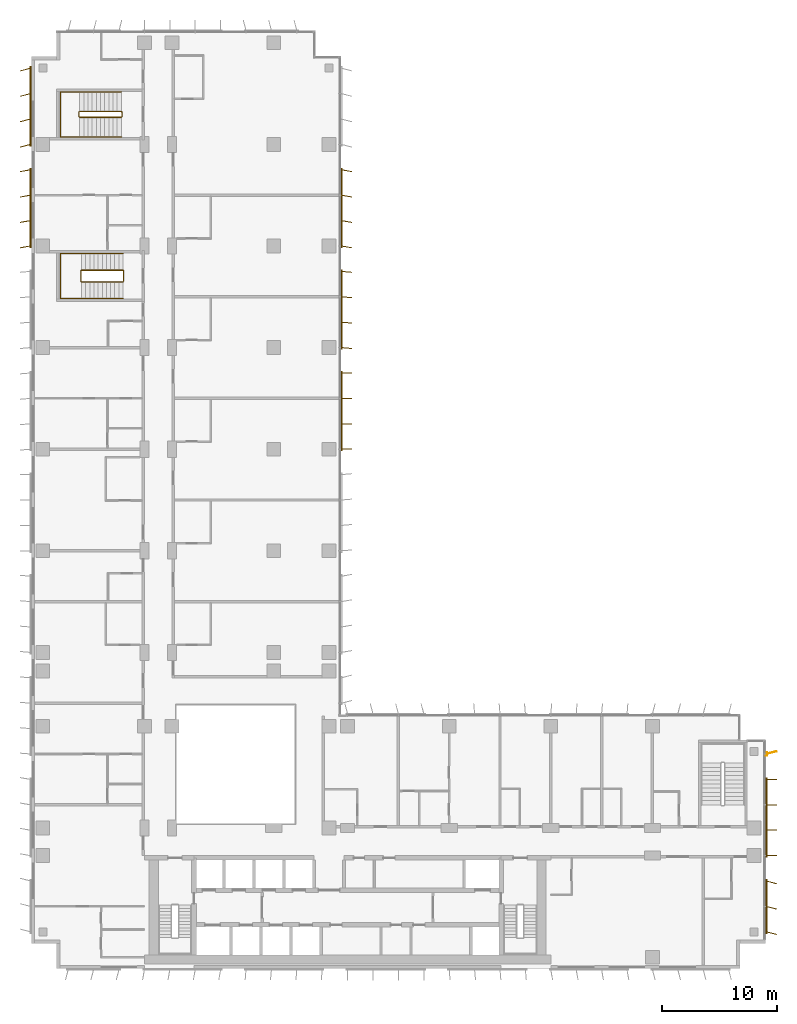
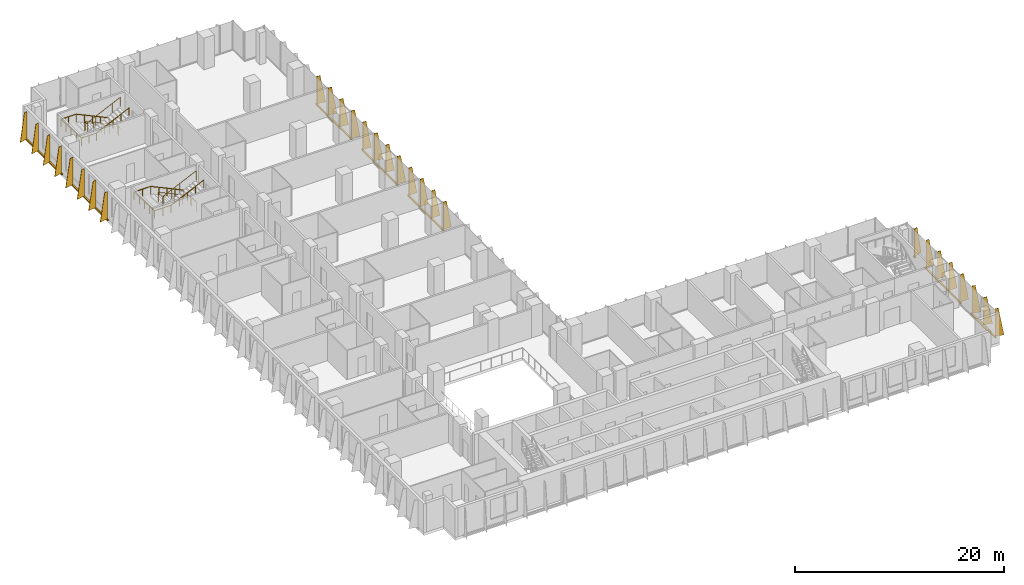
# One storey, part 21 of 22: 8 shading devices, 4 railings.
"""IFC4 building model written with IfcOpenShell, lengths in metres."""

from ifc_helpers import new_model, si_unit, direction, frame, origin, origin_2d, place, context, subcontext, project, spatial, polyline, rectangle, circle, outline, extrude, source, transform, mapped, material, layer, layer_set, type_object, element, save


model = new_model("IFC4")

# Units and contexts
model_context = context("Model", 3, precision=1e-05, world=origin(), true_north=direction((0.0, 1.0)))
body_context = subcontext(model_context, "Body", "Model", "MODEL_VIEW")
ifc_project = project(units=[si_unit("LENGTHUNIT", "METRE"), si_unit("AREAUNIT", "SQUARE_METRE"), si_unit("VOLUMEUNIT", "CUBIC_METRE"), si_unit("PLANEANGLEUNIT", "RADIAN"), si_unit("MASSUNIT", "GRAM", prefix="KILO")], contexts=[model_context])

# Site, building, storey
site_placement = place(None, origin())
site = spatial("IfcSite", under=ifc_project, at=site_placement, CompositionType="ELEMENT")
building_placement = place(site_placement, origin())
building = spatial("IfcBuilding", under=site, at=building_placement, Name="Kemantara Hotel Tower", CompositionType="ELEMENT")
storey_placement = place(building_placement, frame((0.0, 0.0, 145.699951171875)))
storey = spatial("IfcBuildingStorey", under=building, at=storey_placement, Name="L35", CompositionType="ELEMENT", Elevation=145.699951171875)

# Railings
ifc_material_1 = material(Name="Stainless steel balustrade", Category="steel")
railing_type_1 = type_object("IfcRailingType", Name="Stair guard 1100 mm", PredefinedType="GUARDRAIL", material=ifc_material_1)
railing_1_placement = place(storey_placement, frame((7.949951171875, 59.5, 3.699951171875)))
element("IfcRailing", 1, at=railing_1_placement, inside=storey, type_object=railing_type_1, Name="L35 ST4 stair guard 1", PredefinedType="GUARDRAIL", context=body_context, shape_type="SweptSolid", body=[
    extrude(circle(Radius=0.02392578125, at=origin_2d()), frame((0.0, 0.0, 1.076171875), z_axis=(-0.906018243939, 0.0, -0.423238634402), x_axis=(0.0, -1.0, 0.0)), (0.0, 0.0, 1.0), 3.973388671875),
    extrude(circle(Radius=0.02392578125, at=origin_2d()), frame((-3.599853515625, 0.0, -0.60546875), z_axis=(-0.274243871929, 0.274243871929, -0.92172696468), x_axis=(-0.707106781187, -0.707106781187, 0.0)), (0.0, 0.0, 1.0), 0.1826171875),
    extrude(circle(Radius=0.02392578125, at=origin_2d()), frame((-3.64990234375, 0.050048828125, -0.77392578125), z_axis=(0.0, 1.0, 0.0), x_axis=(-1.0, 0.0, 0.0)), (0.0, 0.0, 1.0), 0.89990234375),
    extrude(circle(Radius=0.02392578125, at=origin_2d()), frame((-3.64990234375, 0.949951171875, -0.77392578125), z_axis=(0.707106781187, 0.707106781187, 0.0), x_axis=(-0.707106781187, 0.707106781187, 0.0)), (0.0, 0.0, 1.0), 0.07080078125),
    extrude(circle(Radius=0.02392578125, at=origin_2d()), frame((-3.599853515625, 1.0, -0.77392578125), z_axis=(0.905994681025, 0.0, -0.423289071386), x_axis=(0.0, 1.0, 0.0)), (0.0, 0.0, 1.0), 3.973388671875),
    extrude(circle(Radius=0.02392578125, at=origin_2d()), frame((0.0, 1.0, -2.45556640625), z_axis=(0.274243871929, -0.274243871929, -0.92172696468), x_axis=(0.707106781187, 0.707106781187, 0.0)), (0.0, 0.0, 1.0), 0.1826171875),
    extrude(circle(Radius=0.02392578125, at=origin_2d()), frame((0.050048828125, 0.949951171875, -2.6240234375), z_axis=(0.0, -1.0, 0.0), x_axis=(1.0, 0.0, 0.0)), (0.0, 0.0, 1.0), 0.89990234375),
    extrude(circle(Radius=0.02099609375, at=origin_2d()), origin(), (0.0, 0.0, 1.0), 1.052001953125),
    extrude(circle(Radius=0.02099609375, at=origin_2d()), frame((-0.89990234375, 0.0, -0.42041015625)), (0.0, 0.0, 1.0), 1.052001953125),
    extrude(circle(Radius=0.02099609375, at=origin_2d()), frame((-1.7998046875, 0.0, -0.8408203125)), (0.0, 0.0, 1.0), 1.052001953125),
    extrude(circle(Radius=0.02099609375, at=origin_2d()), frame((-2.699951171875, 0.0, -1.26123046875)), (0.0, 0.0, 1.0), 1.052001953125),
    extrude(circle(Radius=0.02099609375, at=origin_2d()), frame((-3.599853515625, 0.0, -1.681640625)), (0.0, 0.0, 1.0), 1.052001953125),
    extrude(circle(Radius=0.02099609375, at=origin_2d()), frame((-3.64990234375, 0.050048828125, -1.849853515625)), (0.0, 0.0, 1.0), 1.052001953125),
    extrude(circle(Radius=0.02099609375, at=origin_2d()), frame((-3.64990234375, 0.949951171875, -1.849853515625)), (0.0, 0.0, 1.0), 1.052001953125),
    extrude(circle(Radius=0.02099609375, at=origin_2d()), frame((-3.599853515625, 1.0, -1.849853515625)), (0.0, 0.0, 1.0), 1.052001953125),
    extrude(circle(Radius=0.02099609375, at=origin_2d()), frame((-2.699951171875, 1.0, -2.270263671875)), (0.0, 0.0, 1.0), 1.052001953125),
    extrude(circle(Radius=0.02099609375, at=origin_2d()), frame((-1.7998046875, 1.0, -2.69091796875)), (0.0, 0.0, 1.0), 1.052001953125),
    extrude(circle(Radius=0.02099609375, at=origin_2d()), frame((-0.89990234375, 1.0, -3.111328125)), (0.0, 0.0, 1.0), 1.052001953125),
    extrude(circle(Radius=0.02099609375, at=origin_2d()), frame((0.0, 1.0, -3.53173828125)), (0.0, 0.0, 1.0), 1.052001953125),
    extrude(circle(Radius=0.02099609375, at=origin_2d()), frame((0.050048828125, 0.949951171875, -3.699951171875)), (0.0, 0.0, 1.0), 1.052001953125),
    extrude(circle(Radius=0.02099609375, at=origin_2d()), frame((0.050048828125, 0.050048828125, -3.699951171875)), (0.0, 0.0, 1.0), 1.052001953125),
])
railing_2_placement = place(storey_placement, frame((7.800048828125, 73.75, 3.699951171875)))
element("IfcRailing", 2, at=railing_2_placement, inside=storey, type_object=railing_type_1, Name="L35 ST6 stair guard 1", PredefinedType="GUARDRAIL", context=body_context, shape_type="SweptSolid", body=[
    extrude(circle(Radius=0.02392578125, at=origin_2d()), frame((0.0, 0.0, 1.076171875), z_axis=(-0.906029249863, 0.0, -0.423215073447), x_axis=(0.0, -1.0, 0.0)), (0.0, 0.0, 1.0), 3.973388671875),
    extrude(circle(Radius=0.02392578125, at=origin_2d()), frame((-3.60009765625, 0.0, -0.60546875), z_axis=(-0.274243871929, 0.274243871929, -0.92172696468), x_axis=(-0.707106781187, -0.707106781187, 0.0)), (0.0, 0.0, 1.0), 0.1826171875),
    extrude(circle(Radius=0.02392578125, at=origin_2d()), frame((-3.650146484375, 0.050048828125, -0.77392578125), z_axis=(0.0, 1.0, 0.0), x_axis=(-1.0, 0.0, 0.0)), (0.0, 0.0, 1.0), 0.39990234375),
    extrude(circle(Radius=0.02392578125, at=origin_2d()), frame((-3.650146484375, 0.449951171875, -0.77392578125), z_axis=(0.707106781187, 0.707106781187, 0.0), x_axis=(-0.707106781187, 0.707106781187, 0.0)), (0.0, 0.0, 1.0), 0.07080078125),
    extrude(circle(Radius=0.02392578125, at=origin_2d()), frame((-3.60009765625, 0.5, -0.77392578125), z_axis=(0.906005689286, 0.0, -0.423265508849), x_axis=(0.0, 1.0, 0.0)), (0.0, 0.0, 1.0), 3.9736328125),
    extrude(circle(Radius=0.02392578125, at=origin_2d()), frame((0.0, 0.5, -2.45556640625), z_axis=(0.274243871929, -0.274243871929, -0.92172696468), x_axis=(0.707106781187, 0.707106781187, 0.0)), (0.0, 0.0, 1.0), 0.1826171875),
    extrude(circle(Radius=0.02392578125, at=origin_2d()), frame((0.050048828125, 0.449951171875, -2.6240234375), z_axis=(0.0, -1.0, 0.0), x_axis=(1.0, 0.0, 0.0)), (0.0, 0.0, 1.0), 0.39990234375),
    extrude(circle(Radius=0.02099609375, at=origin_2d()), origin(), (0.0, 0.0, 1.0), 1.052001953125),
    extrude(circle(Radius=0.02099609375, at=origin_2d()), frame((-0.89990234375, 0.0, -0.42041015625)), (0.0, 0.0, 1.0), 1.052001953125),
    extrude(circle(Radius=0.02099609375, at=origin_2d()), frame((-1.800048828125, 0.0, -0.8408203125)), (0.0, 0.0, 1.0), 1.052001953125),
    extrude(circle(Radius=0.02099609375, at=origin_2d()), frame((-2.7001953125, 0.0, -1.26123046875)), (0.0, 0.0, 1.0), 1.052001953125),
    extrude(circle(Radius=0.02099609375, at=origin_2d()), frame((-3.60009765625, 0.0, -1.681640625)), (0.0, 0.0, 1.0), 1.052001953125),
    extrude(circle(Radius=0.02099609375, at=origin_2d()), frame((-3.650146484375, 0.050048828125, -1.849853515625)), (0.0, 0.0, 1.0), 1.052001953125),
    extrude(circle(Radius=0.02099609375, at=origin_2d()), frame((-3.650146484375, 0.449951171875, -1.849853515625)), (0.0, 0.0, 1.0), 1.052001953125),
    extrude(circle(Radius=0.02099609375, at=origin_2d()), frame((-3.60009765625, 0.5, -1.849853515625)), (0.0, 0.0, 1.0), 1.052001953125),
    extrude(circle(Radius=0.02099609375, at=origin_2d()), frame((-2.7001953125, 0.5, -2.270263671875)), (0.0, 0.0, 1.0), 1.052001953125),
    extrude(circle(Radius=0.02099609375, at=origin_2d()), frame((-1.800048828125, 0.5, -2.69091796875)), (0.0, 0.0, 1.0), 1.052001953125),
    extrude(circle(Radius=0.02099609375, at=origin_2d()), frame((-0.89990234375, 0.5, -3.111328125)), (0.0, 0.0, 1.0), 1.052001953125),
    extrude(circle(Radius=0.02099609375, at=origin_2d()), frame((0.0, 0.5, -3.53173828125)), (0.0, 0.0, 1.0), 1.052001953125),
    extrude(circle(Radius=0.02099609375, at=origin_2d()), frame((0.050048828125, 0.449951171875, -3.699951171875)), (0.0, 0.0, 1.0), 1.052001953125),
    extrude(circle(Radius=0.02099609375, at=origin_2d()), frame((0.050048828125, 0.050048828125, -3.699951171875)), (0.0, 0.0, 1.0), 1.052001953125),
])
railing_type_2 = type_object("IfcRailingType", Name="Stair handrail 900 mm", PredefinedType="HANDRAIL", material=ifc_material_1)
railing_3_placement = place(storey_placement, frame((7.949951171875, 61.949951171875, 0.168212890625)))
element("IfcRailing", 3, at=railing_3_placement, inside=storey, type_object=railing_type_2, Name="L35 ST4 stair handrail 1", PredefinedType="HANDRAIL", context=body_context, shape_type="SweptSolid", body=[
    extrude(circle(Radius=0.02392578125, at=origin_2d()), frame((0.0, 0.0, 0.8759765625), z_axis=(-0.905994681025, 0.0, 0.423289071386), x_axis=(0.0, -1.0, 0.0)), (0.0, 0.0, 1.0), 3.973388671875),
    extrude(circle(Radius=0.02392578125, at=origin_2d()), frame((-3.599853515625, 0.0, 2.5576171875), z_axis=(-1.0, 0.0, 0.0), x_axis=(0.0, -1.0, 0.0)), (0.0, 0.0, 1.0), 1.830078125),
    extrude(circle(Radius=0.02392578125, at=origin_2d()), frame((-5.429931640625, 0.0, 2.5576171875), z_axis=(0.0, -0.999071085748, 0.043092523981), x_axis=(1.0, 0.0, 0.0)), (0.0, 0.0, 1.0), 3.903564453125),
    extrude(circle(Radius=0.02392578125, at=origin_2d()), frame((-5.429931640625, -3.89990234375, 2.72607421875), z_axis=(1.0, 0.0, 0.0), x_axis=(0.0, 1.0, 0.0)), (0.0, 0.0, 1.0), 1.830078125),
    extrude(circle(Radius=0.02392578125, at=origin_2d()), frame((-3.599853515625, -3.89990234375, 2.72607421875), z_axis=(0.906018243939, 0.0, 0.423238634402), x_axis=(0.0, 1.0, 0.0)), (0.0, 0.0, 1.0), 3.973388671875),
    extrude(circle(Radius=0.02099609375, at=origin_2d()), origin(), (0.0, 0.0, 1.0), 0.851806640625),
    extrude(circle(Radius=0.02099609375, at=origin_2d()), frame((-0.89990234375, 0.0, 0.42041015625)), (0.0, 0.0, 1.0), 0.851806640625),
    extrude(circle(Radius=0.02099609375, at=origin_2d()), frame((-1.7998046875, 0.0, 0.8408203125)), (0.0, 0.0, 1.0), 0.851806640625),
    extrude(circle(Radius=0.02099609375, at=origin_2d()), frame((-2.699951171875, 0.0, 1.261474609375)), (0.0, 0.0, 1.0), 0.851806640625),
    extrude(circle(Radius=0.02099609375, at=origin_2d()), frame((-3.599853515625, 0.0, 1.681884765625)), (0.0, 0.0, 1.0), 0.851806640625),
    extrude(circle(Radius=0.02099609375, at=origin_2d()), frame((-4.514892578125, 0.0, 1.681884765625)), (0.0, 0.0, 1.0), 0.851806640625),
    extrude(circle(Radius=0.02099609375, at=origin_2d()), frame((-5.429931640625, 0.0, 1.681884765625)), (0.0, 0.0, 1.0), 0.851806640625),
    extrude(circle(Radius=0.02099609375, at=origin_2d()), frame((-5.429931640625, -0.97509765625, 1.723876953125)), (0.0, 0.0, 1.0), 0.851806640625),
    extrude(circle(Radius=0.02099609375, at=origin_2d()), frame((-5.429931640625, -1.949951171875, 1.76611328125)), (0.0, 0.0, 1.0), 0.851806640625),
    extrude(circle(Radius=0.02099609375, at=origin_2d()), frame((-5.429931640625, -2.9248046875, 1.80810546875)), (0.0, 0.0, 1.0), 0.851806640625),
    extrude(circle(Radius=0.02099609375, at=origin_2d()), frame((-5.429931640625, -3.89990234375, 1.85009765625)), (0.0, 0.0, 1.0), 0.851806640625),
    extrude(circle(Radius=0.02099609375, at=origin_2d()), frame((-4.514892578125, -3.89990234375, 1.85009765625)), (0.0, 0.0, 1.0), 0.851806640625),
    extrude(circle(Radius=0.02099609375, at=origin_2d()), frame((-3.599853515625, -3.89990234375, 1.85009765625)), (0.0, 0.0, 1.0), 0.851806640625),
    extrude(circle(Radius=0.02099609375, at=origin_2d()), frame((-2.699951171875, -3.89990234375, 2.2705078125)), (0.0, 0.0, 1.0), 0.851806640625),
    extrude(circle(Radius=0.02099609375, at=origin_2d()), frame((-1.7998046875, -3.89990234375, 2.69091796875)), (0.0, 0.0, 1.0), 0.851806640625),
    extrude(circle(Radius=0.02099609375, at=origin_2d()), frame((-0.89990234375, -3.89990234375, 3.111328125)), (0.0, 0.0, 1.0), 0.851806640625),
    extrude(circle(Radius=0.02099609375, at=origin_2d()), frame((0.0, -3.89990234375, 3.53173828125)), (0.0, 0.0, 1.0), 0.851806640625),
])
railing_4_placement = place(storey_placement, frame((7.800048828125, 75.949951171875, 0.168212890625)))
element("IfcRailing", 4, at=railing_4_placement, inside=storey, type_object=railing_type_2, Name="L35 ST6 stair handrail 1", PredefinedType="HANDRAIL", context=body_context, shape_type="SweptSolid", body=[
    extrude(circle(Radius=0.02392578125, at=origin_2d()), frame((0.0, 0.0, 0.8759765625), z_axis=(-0.906005689286, 0.0, 0.423265508849), x_axis=(0.0, -1.0, 0.0)), (0.0, 0.0, 1.0), 3.9736328125),
    extrude(circle(Radius=0.02392578125, at=origin_2d()), frame((-3.60009765625, 0.0, 2.5576171875), z_axis=(-1.0, 0.0, 0.0), x_axis=(0.0, -1.0, 0.0)), (0.0, 0.0, 1.0), 1.679931640625),
    extrude(circle(Radius=0.02392578125, at=origin_2d()), frame((-5.280029296875, 0.0, 2.5576171875), z_axis=(0.0, -0.999071085748, 0.043092523981), x_axis=(1.0, 0.0, 0.0)), (0.0, 0.0, 1.0), 3.903564453125),
    extrude(circle(Radius=0.02392578125, at=origin_2d()), frame((-5.280029296875, -3.89990234375, 2.72607421875), z_axis=(1.0, 0.0, 0.0), x_axis=(0.0, 1.0, 0.0)), (0.0, 0.0, 1.0), 1.679931640625),
    extrude(circle(Radius=0.02392578125, at=origin_2d()), frame((-3.60009765625, -3.89990234375, 2.72607421875), z_axis=(0.906029249863, 0.0, 0.423215073447), x_axis=(0.0, 1.0, 0.0)), (0.0, 0.0, 1.0), 3.973388671875),
    extrude(circle(Radius=0.02099609375, at=origin_2d()), origin(), (0.0, 0.0, 1.0), 0.851806640625),
    extrude(circle(Radius=0.02099609375, at=origin_2d()), frame((-0.89990234375, 0.0, 0.42041015625)), (0.0, 0.0, 1.0), 0.851806640625),
    extrude(circle(Radius=0.02099609375, at=origin_2d()), frame((-1.800048828125, 0.0, 0.8408203125)), (0.0, 0.0, 1.0), 0.851806640625),
    extrude(circle(Radius=0.02099609375, at=origin_2d()), frame((-2.7001953125, 0.0, 1.261474609375)), (0.0, 0.0, 1.0), 0.851806640625),
    extrude(circle(Radius=0.02099609375, at=origin_2d()), frame((-3.60009765625, 0.0, 1.681884765625)), (0.0, 0.0, 1.0), 0.851806640625),
    extrude(circle(Radius=0.02099609375, at=origin_2d()), frame((-4.43994140625, 0.0, 1.681884765625)), (0.0, 0.0, 1.0), 0.851806640625),
    extrude(circle(Radius=0.02099609375, at=origin_2d()), frame((-5.280029296875, 0.0, 1.681884765625)), (0.0, 0.0, 1.0), 0.851806640625),
    extrude(circle(Radius=0.02099609375, at=origin_2d()), frame((-5.280029296875, -0.97509765625, 1.723876953125)), (0.0, 0.0, 1.0), 0.851806640625),
    extrude(circle(Radius=0.02099609375, at=origin_2d()), frame((-5.280029296875, -1.949951171875, 1.76611328125)), (0.0, 0.0, 1.0), 0.851806640625),
    extrude(circle(Radius=0.02099609375, at=origin_2d()), frame((-5.280029296875, -2.9248046875, 1.80810546875)), (0.0, 0.0, 1.0), 0.851806640625),
    extrude(circle(Radius=0.02099609375, at=origin_2d()), frame((-5.280029296875, -3.89990234375, 1.85009765625)), (0.0, 0.0, 1.0), 0.851806640625),
    extrude(circle(Radius=0.02099609375, at=origin_2d()), frame((-4.43994140625, -3.89990234375, 1.85009765625)), (0.0, 0.0, 1.0), 0.851806640625),
    extrude(circle(Radius=0.02099609375, at=origin_2d()), frame((-3.60009765625, -3.89990234375, 1.85009765625)), (0.0, 0.0, 1.0), 0.851806640625),
    extrude(circle(Radius=0.02099609375, at=origin_2d()), frame((-2.7001953125, -3.89990234375, 2.2705078125)), (0.0, 0.0, 1.0), 0.851806640625),
    extrude(circle(Radius=0.02099609375, at=origin_2d()), frame((-1.800048828125, -3.89990234375, 2.69091796875)), (0.0, 0.0, 1.0), 0.851806640625),
    extrude(circle(Radius=0.02099609375, at=origin_2d()), frame((-0.89990234375, -3.89990234375, 3.111328125)), (0.0, 0.0, 1.0), 0.851806640625),
    extrude(circle(Radius=0.02099609375, at=origin_2d()), frame((0.0, -3.89990234375, 3.53173828125)), (0.0, 0.0, 1.0), 0.851806640625),
])

# Shading devices
ifc_material_2 = material(Name="Perforated aluminium plate 4 mm bronze anodised", Category="aluminium")
ifc_layer_1 = layer(ifc_material_2, 0.0400390625)
ifc_layer_set_1 = layer_set([ifc_layer_1], Name="Perforated aluminium plate 4 mm bronze anodised")
shading_device_type_1 = type_object("IfcShadingDeviceType", Name="SCREEN FIN CASSETTE, 3 BLADES AT -15.0 DEG, 3200 HIGH", PredefinedType="USERDEFINED", material=ifc_layer_set_1)
shared_shape_1 = source(origin(), body_context, "Body", "SweptSolid", [
    extrude(rectangle(XDim=4.699951171875, YDim=0.14990234375, at=origin_2d()), frame((2.199951171875, -0.074951171875, -0.14990234375), z_axis=(0.0, 0.0, 1.0), x_axis=(1.0, 0.0, 0.0)), (0.0, 0.0, 1.0), 0.14990234375),
    extrude(outline(polyline([(0.0, 0.0), (0.89990234375, 0.0), (0.35009765625, 3.199951171875), (0.0, 3.199951171875), (0.0, 0.0)])), frame((0.019287109375, -0.080078125, 0.0), z_axis=(-0.966437683387, 0.256901156343, 0.0), x_axis=(-0.256901156343, -0.966437683387, 0.0)), (0.0, 0.0, 1.0), 0.039794921875),
    extrude(outline(polyline([(0.0, 0.0), (0.89990234375, 0.0), (0.35009765625, 3.199951171875), (0.0, 3.199951171875), (0.0, 0.0)])), frame((2.21923828125, -0.080078125, 0.0), z_axis=(-0.966437683387, 0.256901156343, 0.0), x_axis=(-0.256901156343, -0.966437683387, 0.0)), (0.0, 0.0, 1.0), 0.039794921875),
    extrude(outline(polyline([(0.0, 0.0), (0.89990234375, 0.0), (0.35009765625, 3.199951171875), (0.0, 3.199951171875), (0.0, 0.0)])), frame((4.41943359375, -0.080078125, 0.0), z_axis=(-0.966837822169, 0.255391122837, 0.0), x_axis=(-0.255391122837, -0.966837822169, 0.0)), (0.0, 0.0, 1.0), 0.0400390625),
])
shading_device_1_placement = place(storey_placement, frame((63.60009765625, 3.199951171875, 0.10009765625), z_axis=(0.0, 0.0, 1.0), x_axis=(0.0, 1.0, 0.0)))
element("IfcShadingDevice", 5, at=shading_device_1_placement, inside=storey, type_object=shading_device_type_1, Name="SCREEN FIN CASSETTE L35 T2-R10-1", ObjectType="SCREEN FIN", PredefinedType="USERDEFINED", context=body_context, shape_type="MappedRepresentation", body=[
    mapped(shared_shape_1, transform((0.0, 0.0, 0.0))),
])
ifc_layer_2 = layer(ifc_material_2, 0.0400390625)
ifc_layer_set_2 = layer_set([ifc_layer_2], Name="Perforated aluminium plate 4 mm bronze anodised")
shading_device_type_2 = type_object("IfcShadingDeviceType", Name="SCREEN FIN CASSETTE, 4 BLADES AT -10.0 DEG, 3200 HIGH", PredefinedType="USERDEFINED", material=ifc_layer_set_2)
shared_shape_2 = source(origin(), body_context, "Body", "SweptSolid", [
    extrude(rectangle(XDim=6.89990234375, YDim=0.14990234375, at=origin_2d()), frame((3.300048828125, -0.074951171875, -0.14990234375), z_axis=(0.0, 0.0, 1.0), x_axis=(1.0, 0.0, 0.0)), (0.0, 0.0, 1.0), 0.14990234375),
    extrude(outline(polyline([(0.0, 0.0), (0.89990234375, 0.0), (0.35009765625, 3.199951171875), (0.0, 3.199951171875), (0.0, 0.0)])), frame((0.019775390625, -0.078369140625, 0.0), z_axis=(-0.985389793052, 0.170314285219, 0.0), x_axis=(-0.170314285219, -0.985389793052, 0.0)), (0.0, 0.0, 1.0), 0.0400390625),
    extrude(outline(polyline([(0.0, 0.0), (0.89990234375, 0.0), (0.35009765625, 3.199951171875), (0.0, 3.199951171875), (0.0, 0.0)])), frame((2.2197265625, -0.078369140625, 0.0), z_axis=(-0.98521175482, 0.171341174751, 0.0), x_axis=(-0.171341174751, -0.98521175482, 0.0)), (0.0, 0.0, 1.0), 0.039794921875),
    extrude(outline(polyline([(0.0, 0.0), (0.89990234375, 0.0), (0.35009765625, 3.199951171875), (0.0, 3.199951171875), (0.0, 0.0)])), frame((4.419677734375, -0.078369140625, 0.0), z_axis=(-0.98521175482, 0.171341174751, 0.0), x_axis=(-0.171341174751, -0.98521175482, 0.0)), (0.0, 0.0, 1.0), 0.039794921875),
    extrude(outline(polyline([(0.0, 0.0), (0.89990234375, 0.0), (0.35009765625, 3.199951171875), (0.0, 3.199951171875), (0.0, 0.0)])), frame((6.61962890625, -0.078369140625, 0.0), z_axis=(-0.98521175482, 0.171341174751, 0.0), x_axis=(-0.171341174751, -0.98521175482, 0.0)), (0.0, 0.0, 1.0), 0.039794921875),
])
shading_device_2_placement = place(storey_placement, frame((26.800048828125, 62.60009765625, 0.10009765625), z_axis=(0.0, 0.0, 1.0), x_axis=(0.0, 1.0, 0.0)))
element("IfcShadingDevice", 6, at=shading_device_2_placement, inside=storey, type_object=shading_device_type_2, Name="SCREEN FIN CASSETTE L35 T2-R14-6", ObjectType="SCREEN FIN", PredefinedType="USERDEFINED", context=body_context, shape_type="MappedRepresentation", body=[
    mapped(shared_shape_2, transform((0.0, 0.0, 0.0))),
])
ifc_layer_3 = layer(ifc_material_2, 0.0400390625)
ifc_layer_set_3 = layer_set([ifc_layer_3], Name="Perforated aluminium plate 4 mm bronze anodised")
shading_device_type_3 = type_object("IfcShadingDeviceType", Name="SCREEN FIN CASSETTE, 4 BLADES AT -5.0 DEG, 3200 HIGH", PredefinedType="USERDEFINED", material=ifc_layer_set_3)
shared_shape_3 = source(origin(), body_context, "Body", "SweptSolid", [
    extrude(rectangle(XDim=6.89990234375, YDim=0.14990234375, at=origin_2d()), frame((3.300048828125, -0.074951171875, -0.14990234375), z_axis=(0.0, 0.0, 1.0), x_axis=(1.0, 0.0, 0.0)), (0.0, 0.0, 1.0), 0.14990234375),
    extrude(outline(polyline([(0.0, 0.0), (0.89990234375, 0.0), (0.35009765625, 3.199951171875), (0.0, 3.199951171875), (0.0, 0.0)])), frame((0.02001953125, -0.07666015625, 0.0), z_axis=(-0.996376129781, 0.085056498884, 0.0), x_axis=(-0.085056498884, -0.996376129781, 0.0)), (0.0, 0.0, 1.0), 0.040283203125),
    extrude(outline(polyline([(0.0, 0.0), (0.89990234375, 0.0), (0.35009765625, 3.199951171875), (0.0, 3.199951171875), (0.0, 0.0)])), frame((2.219970703125, -0.07666015625, 0.0), z_axis=(-0.996331773833, 0.085574508182, 0.0), x_axis=(-0.085574508182, -0.996331773833, 0.0)), (0.0, 0.0, 1.0), 0.0400390625),
    extrude(outline(polyline([(0.0, 0.0), (0.89990234375, 0.0), (0.35009765625, 3.199951171875), (0.0, 3.199951171875), (0.0, 0.0)])), frame((4.419921875, -0.07666015625, 0.0), z_axis=(-0.996331773833, 0.085574508182, 0.0), x_axis=(-0.085574508182, -0.996331773833, 0.0)), (0.0, 0.0, 1.0), 0.0400390625),
    extrude(outline(polyline([(0.0, 0.0), (0.89990234375, 0.0), (0.35009765625, 3.199951171875), (0.0, 3.199951171875), (0.0, 0.0)])), frame((6.619873046875, -0.07666015625, 0.0), z_axis=(-0.996331773833, 0.085574508182, 0.0), x_axis=(-0.085574508182, -0.996331773833, 0.0)), (0.0, 0.0, 1.0), 0.0400390625),
])
shading_device_3_placement = place(storey_placement, frame((26.800048828125, 53.800048828125, 0.10009765625), z_axis=(0.0, 0.0, 1.0), x_axis=(0.0, 1.0, 0.0)))
element("IfcShadingDevice", 7, at=shading_device_3_placement, inside=storey, type_object=shading_device_type_3, Name="SCREEN FIN CASSETTE L35 T2-R14-5", ObjectType="SCREEN FIN", PredefinedType="USERDEFINED", context=body_context, shape_type="MappedRepresentation", body=[
    mapped(shared_shape_3, transform((0.0, 0.0, 0.0))),
])
ifc_layer_4 = layer(ifc_material_2, 0.0400390625)
ifc_layer_set_4 = layer_set([ifc_layer_4], Name="Perforated aluminium plate 4 mm bronze anodised")
shading_device_type_4 = type_object("IfcShadingDeviceType", Name="SCREEN FIN CASSETTE, 4 BLADES AT +0.0 DEG, 3200 HIGH", PredefinedType="USERDEFINED", material=ifc_layer_set_4)
shared_shape_4 = source(origin(), body_context, "Body", "SweptSolid", [
    extrude(rectangle(XDim=6.89990234375, YDim=0.14990234375, at=origin_2d()), frame((3.300048828125, -0.074951171875, -0.14990234375), z_axis=(0.0, 0.0, 1.0), x_axis=(1.0, 0.0, 0.0)), (0.0, 0.0, 1.0), 0.14990234375),
    extrude(outline(polyline([(0.0, 0.0), (0.89990234375, 0.0), (0.35009765625, 3.199951171875), (0.0, 3.199951171875), (0.0, 0.0)])), frame((0.02001953125, -0.074951171875, 0.0), z_axis=(-1.0, 0.0, 0.0), x_axis=(0.0, -1.0, 0.0)), (0.0, 0.0, 1.0), 0.0400390625),
    extrude(outline(polyline([(0.0, 0.0), (0.89990234375, 0.0), (0.35009765625, 3.199951171875), (0.0, 3.199951171875), (0.0, 0.0)])), frame((2.219970703125, -0.074951171875, 0.0), z_axis=(-1.0, 0.0, 0.0), x_axis=(0.0, -1.0, 0.0)), (0.0, 0.0, 1.0), 0.0400390625),
    extrude(outline(polyline([(0.0, 0.0), (0.89990234375, 0.0), (0.35009765625, 3.199951171875), (0.0, 3.199951171875), (0.0, 0.0)])), frame((4.419921875, -0.074951171875, 0.0), z_axis=(-1.0, 0.0, 0.0), x_axis=(0.0, -1.0, 0.0)), (0.0, 0.0, 1.0), 0.0400390625),
    extrude(outline(polyline([(0.0, 0.0), (0.89990234375, 0.0), (0.35009765625, 3.199951171875), (0.0, 3.199951171875), (0.0, 0.0)])), frame((6.6201171875, -0.074951171875, 0.0), z_axis=(-1.0, 0.0, 0.0), x_axis=(0.0, -1.0, 0.0)), (0.0, 0.0, 1.0), 0.0400390625),
])
for number, where, z_axis, x_axis, name in (
    (8, (63.60009765625, 9.800048828125, 0.10009765625), (0.0, 0.0, 1.0), (0.0, 1.0, 0.0), "SCREEN FIN CASSETTE L35 T2-R10-2"),
    (9, (26.800048828125, 45.0, 0.10009765625), (0.0, 0.0, 1.0), (0.0, 1.0, 0.0), "SCREEN FIN CASSETTE L35 T2-R14-4"),
):
    element("IfcShadingDevice", number, at=place(storey_placement, frame(where, z_axis=z_axis, x_axis=x_axis)), inside=storey, type_object=shading_device_type_4, Name=name, ObjectType="SCREEN FIN", PredefinedType="USERDEFINED", context=body_context, shape_type="MappedRepresentation", body=[
        mapped(shared_shape_4, transform((0.0, 0.0, 0.0))),
    ])
ifc_layer_5 = layer(ifc_material_2, 0.0400390625)
ifc_layer_set_5 = layer_set([ifc_layer_5], Name="Perforated aluminium plate 4 mm bronze anodised")
shading_device_type_5 = type_object("IfcShadingDeviceType", Name="SCREEN FIN CASSETTE, 4 BLADES AT +10.0 DEG, 3200 HIGH", PredefinedType="USERDEFINED", material=ifc_layer_set_5)
shared_shape_5 = source(origin(), body_context, "Body", "SweptSolid", [
    extrude(rectangle(XDim=6.89990234375, YDim=0.14990234375, at=origin_2d()), frame((3.300048828125, -0.074951171875, -0.14990234375), z_axis=(0.0, 0.0, 1.0), x_axis=(1.0, 0.0, 0.0)), (0.0, 0.0, 1.0), 0.14990234375),
    extrude(outline(polyline([(0.0, 0.0), (0.89990234375, 0.0), (0.35009765625, 3.199951171875), (0.0, 3.199951171875), (0.0, 0.0)])), frame((0.019775390625, -0.071533203125, 0.0), z_axis=(-0.985389793052, -0.170314285219, 0.0), x_axis=(0.170314285219, -0.985389793052, 0.0)), (0.0, 0.0, 1.0), 0.0400390625),
    extrude(outline(polyline([(0.0, 0.0), (0.89990234375, 0.0), (0.35009765625, 3.199951171875), (0.0, 3.199951171875), (0.0, 0.0)])), frame((2.2197265625, -0.071533203125, 0.0), z_axis=(-0.98521175482, -0.171341174751, 0.0), x_axis=(0.171341174751, -0.98521175482, 0.0)), (0.0, 0.0, 1.0), 0.039794921875),
    extrude(outline(polyline([(0.0, 0.0), (0.89990234375, 0.0), (0.35009765625, 3.199951171875), (0.0, 3.199951171875), (0.0, 0.0)])), frame((4.419677734375, -0.071533203125, 0.0), z_axis=(-0.98521175482, -0.171341174751, 0.0), x_axis=(0.171341174751, -0.98521175482, 0.0)), (0.0, 0.0, 1.0), 0.039794921875),
    extrude(outline(polyline([(0.0, 0.0), (0.89990234375, 0.0), (0.35009765625, 3.199951171875), (0.0, 3.199951171875), (0.0, 0.0)])), frame((6.61962890625, -0.071533203125, 0.0), z_axis=(-0.98521175482, -0.171341174751, 0.0), x_axis=(0.171341174751, -0.98521175482, 0.0)), (0.0, 0.0, 1.0), 0.039794921875),
])
shading_device_4_placement = place(storey_placement, frame((0.0, 69.199951171875, 0.10009765625), z_axis=(0.0, 0.0, 1.0), x_axis=(0.0, -1.0, 0.0)))
element("IfcShadingDevice", 10, at=shading_device_4_placement, inside=storey, type_object=shading_device_type_5, Name="SCREEN FIN CASSETTE L35 T2-R04-2", ObjectType="SCREEN FIN", PredefinedType="USERDEFINED", context=body_context, shape_type="MappedRepresentation", body=[
    mapped(shared_shape_5, transform((0.0, 0.0, 0.0))),
])
ifc_layer_6 = layer(ifc_material_2, 0.0400390625)
ifc_layer_set_6 = layer_set([ifc_layer_6], Name="Perforated aluminium plate 4 mm bronze anodised")
shading_device_type_6 = type_object("IfcShadingDeviceType", Name="SCREEN FIN CASSETTE, 4 BLADES AT +15.0 DEG, 3200 HIGH", PredefinedType="USERDEFINED", material=ifc_layer_set_6)
shared_shape_6 = source(origin(), body_context, "Body", "SweptSolid", [
    extrude(rectangle(XDim=6.89990234375, YDim=0.14990234375, at=origin_2d()), frame((3.300048828125, -0.074951171875, -0.14990234375), z_axis=(0.0, 0.0, 1.0), x_axis=(1.0, 0.0, 0.0)), (0.0, 0.0, 1.0), 0.14990234375),
    extrude(outline(polyline([(0.0, 0.0), (0.89990234375, 0.0), (0.35009765625, 3.199951171875), (0.0, 3.199951171875), (0.0, 0.0)])), frame((0.019287109375, -0.06982421875, 0.0), z_axis=(-0.966437683387, -0.256901156343, 0.0), x_axis=(0.256901156343, -0.966437683387, 0.0)), (0.0, 0.0, 1.0), 0.039794921875),
    extrude(outline(polyline([(0.0, 0.0), (0.89990234375, 0.0), (0.35009765625, 3.199951171875), (0.0, 3.199951171875), (0.0, 0.0)])), frame((2.21923828125, -0.06982421875, 0.0), z_axis=(-0.966437683387, -0.256901156343, 0.0), x_axis=(0.256901156343, -0.966437683387, 0.0)), (0.0, 0.0, 1.0), 0.039794921875),
    extrude(outline(polyline([(0.0, 0.0), (0.89990234375, 0.0), (0.35009765625, 3.199951171875), (0.0, 3.199951171875), (0.0, 0.0)])), frame((4.41943359375, -0.06982421875, 0.0), z_axis=(-0.966837822169, -0.255391122837, 0.0), x_axis=(0.255391122837, -0.966837822169, 0.0)), (0.0, 0.0, 1.0), 0.0400390625),
    extrude(outline(polyline([(0.0, 0.0), (0.89990234375, 0.0), (0.35009765625, 3.199951171875), (0.0, 3.199951171875), (0.0, 0.0)])), frame((6.619384765625, -0.06982421875, 0.0), z_axis=(-0.966837822169, -0.255391122837, 0.0), x_axis=(0.255391122837, -0.966837822169, 0.0)), (0.0, 0.0, 1.0), 0.0400390625),
])
shading_device_5_placement = place(storey_placement, frame((0.0, 78.0, 0.10009765625), z_axis=(0.0, 0.0, 1.0), x_axis=(0.0, -1.0, 0.0)))
element("IfcShadingDevice", 11, at=shading_device_5_placement, inside=storey, type_object=shading_device_type_6, Name="SCREEN FIN CASSETTE L35 T2-R04-1", ObjectType="SCREEN FIN", PredefinedType="USERDEFINED", context=body_context, shape_type="MappedRepresentation", body=[
    mapped(shared_shape_6, transform((0.0, 0.0, 0.0))),
])
ifc_layer_7 = layer(ifc_material_2, 0.0400390625)
ifc_layer_set_7 = layer_set([ifc_layer_7], Name="Perforated aluminium plate 4 mm bronze anodised")
shading_device_type_7 = type_object("IfcShadingDeviceType", Name="SCREEN FIN CASSETTE, 1 BLADE AT +15.0 DEG, 3200 HIGH", PredefinedType="USERDEFINED", material=ifc_layer_set_7)
shared_shape_7 = source(origin(), body_context, "Body", "SweptSolid", [
    extrude(rectangle(XDim=0.300048828125, YDim=0.14990234375, at=origin_2d()), frame((0.0, -0.074951171875, -0.14990234375), z_axis=(0.0, 0.0, 1.0), x_axis=(1.0, 0.0, 0.0)), (0.0, 0.0, 1.0), 0.14990234375),
    extrude(outline(polyline([(0.0, 0.0), (0.89990234375, 0.0), (0.35009765625, 3.199951171875), (0.0, 3.199951171875), (0.0, 0.0)])), frame((0.019287109375, -0.06982421875, 0.0), z_axis=(-0.966437683387, -0.256901156343, 0.0), x_axis=(0.256901156343, -0.966437683387, 0.0)), (0.0, 0.0, 1.0), 0.039794921875),
])
shading_device_6_placement = place(storey_placement, frame((63.60009765625, 18.60009765625, 0.10009765625), z_axis=(0.0, 0.0, 1.0), x_axis=(0.0, 1.0, 0.0)))
element("IfcShadingDevice", 12, at=shading_device_6_placement, inside=storey, type_object=shading_device_type_7, Name="SCREEN FIN CASSETTE L35 T2-R10-3", ObjectType="SCREEN FIN", PredefinedType="USERDEFINED", context=body_context, shape_type="MappedRepresentation", body=[
    mapped(shared_shape_7, transform((0.0, 0.0, 0.0))),
])

save(model, "model.ifc")
